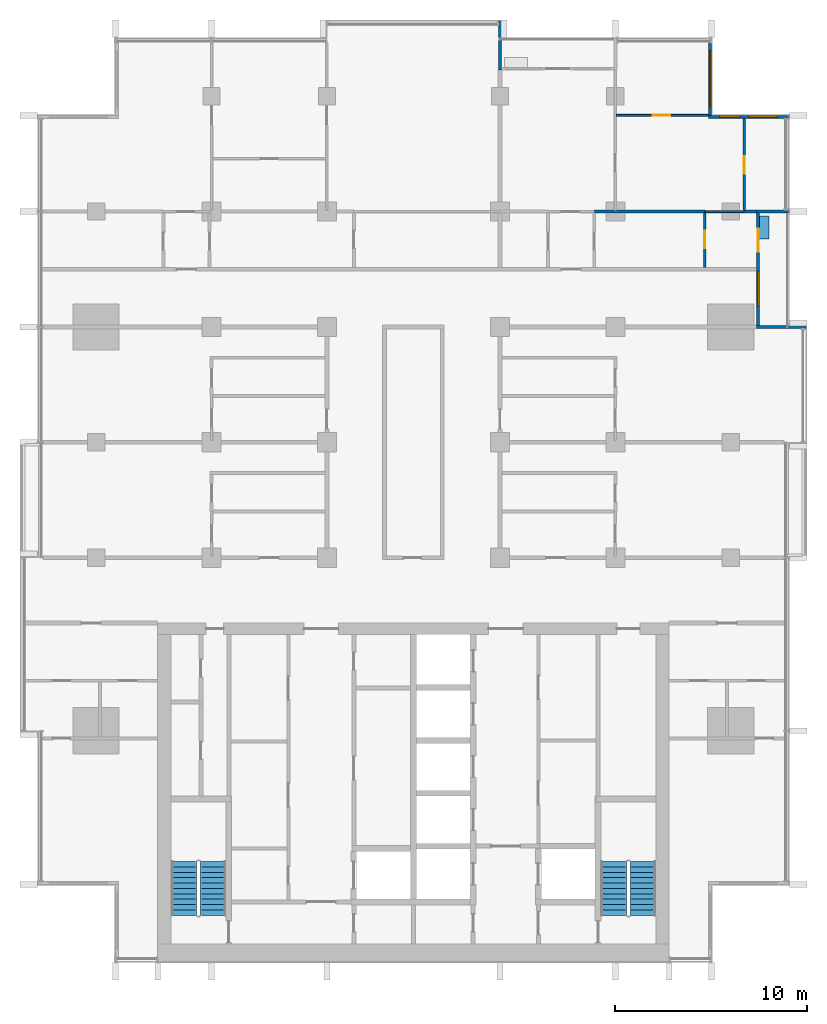
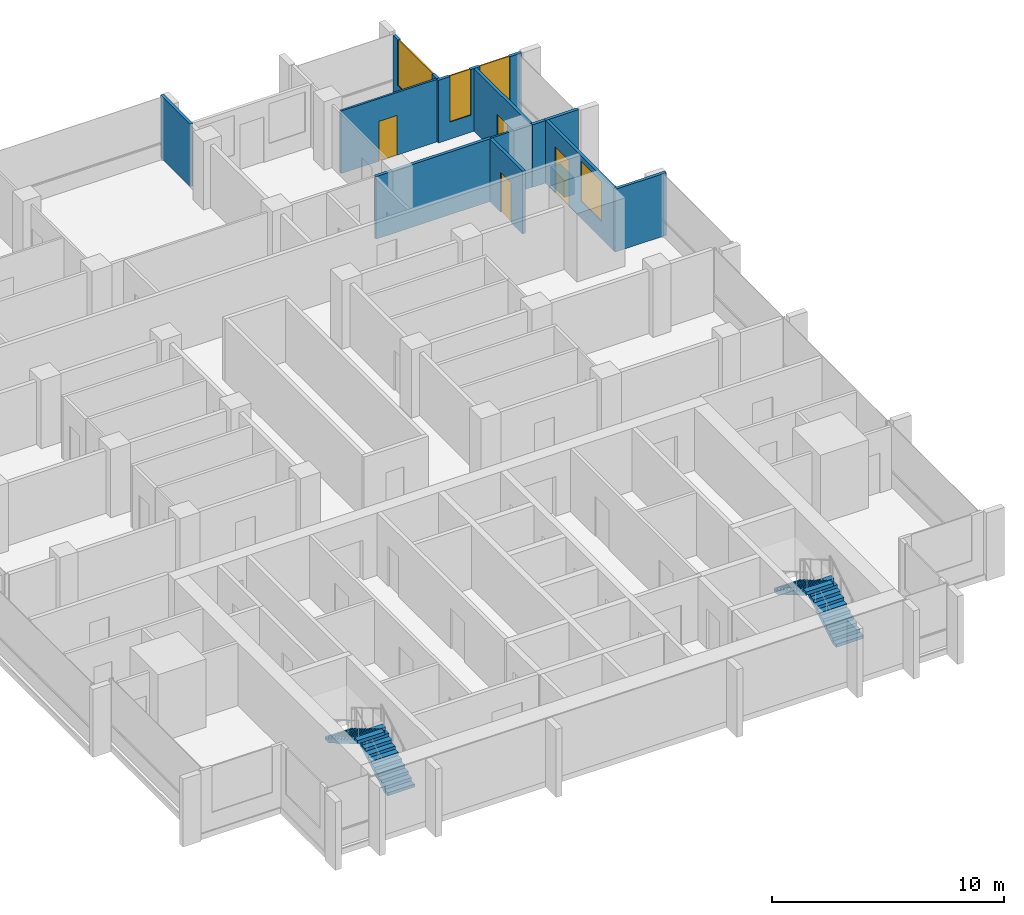
# One storey, part 11 of 16: 13 walls, 4 doors, 4 stair flights, 4 windows, 8 openings, 2 elements without a shape of their own.
"""IFC4 building model written with IfcOpenShell, lengths in metres."""

from ifc_helpers import new_model, si_unit, direction, frame, frame_2d, origin, place, context, subcontext, project, spatial, polyline, rectangle, outline, extrude, material, layer, layer_set, type_object, element, fill, aggregate, save


model = new_model("IFC4")

# Units and contexts
model_context = context("Model", 3, precision=1e-05, world=origin(), true_north=direction((0.0, 1.0)))
body_context = subcontext(model_context, "Body", "Model", "MODEL_VIEW")
ifc_project = project(units=[si_unit("LENGTHUNIT", "METRE"), si_unit("AREAUNIT", "SQUARE_METRE"), si_unit("VOLUMEUNIT", "CUBIC_METRE"), si_unit("PLANEANGLEUNIT", "RADIAN"), si_unit("MASSUNIT", "GRAM", prefix="KILO")], contexts=[model_context])

# Site, building, storey
site_placement = place(None, origin())
site = spatial("IfcSite", under=ifc_project, at=site_placement, CompositionType="ELEMENT")
building_placement = place(site_placement, origin())
building = spatial("IfcBuilding", under=site, at=building_placement, Name="Finial Court Residences", CompositionType="ELEMENT")
storey_placement = place(building_placement, frame((0.0, 0.0, 160.10009765625)))
storey = spatial("IfcBuildingStorey", under=building, at=storey_placement, Name="L39", CompositionType="ELEMENT", Elevation=160.10009765625)

# Wall
ifc_material_1 = material(Name="Gypsum board")
ifc_layer_1 = layer(ifc_material_1, 0.012451171875)
ifc_material_2 = material(Name="Mineral wool in light-gauge frame")
ifc_layer_2 = layer(ifc_material_2, 0.074951171875)
ifc_layer_3 = layer(ifc_material_1, 0.012451171875)
ifc_layer_set_1 = layer_set([ifc_layer_1, ifc_layer_2, ifc_layer_3], Name="Gypsum board partition 100")
wall_type_1 = type_object("IfcWallType", Name="Gypsum board partition 100", PredefinedType="PARTITIONING", material=ifc_layer_set_1)
wall_1_placement = place(storey_placement, frame((15.14990234375, 13.5, 0.0), z_axis=(0.0, 0.0, 1.0), x_axis=(1.0, 0.0, 0.0)))
element("IfcWall", 1, at=wall_1_placement, inside=storey, type_object=wall_type_1, Name="Partition L39-026", PredefinedType="PARTITIONING", context=body_context, shape_type="SweptSolid", body=[
    extrude(rectangle(XDim=2.050048828125, YDim=0.10009765625, at=frame_2d((1.02490234375, 0.0))), origin(), (0.0, 0.0, 1.0), 3.2998046875),
])

# Wall, opening, door
wall_2_placement = place(storey_placement, frame((10.550048828125, 18.5, 0.0), z_axis=(0.0, 0.0, 1.0), x_axis=(1.0, 0.0, 0.0)))
wall_2 = element("IfcWall", 2, at=wall_2_placement, inside=storey, type_object=wall_type_1, Name="Partition L39-033", PredefinedType="PARTITIONING", context=body_context, shape_type="SweptSolid", body=[
    extrude(rectangle(XDim=4.800048828125, YDim=0.10009765625, at=frame_2d((2.39990234375, 0.0))), origin(), (0.0, 0.0, 1.0), 3.2998046875),
])
opening_1_placement = place(wall_2_placement, frame((1.89990234375, 0.0, 0.0)))
opening_1 = element("IfcOpeningElement", 3, at=opening_1_placement, cuts=wall_2, Name="Opening L39-D017", PredefinedType="OPENING", context=body_context, shape_type="SweptSolid", body=[
    extrude(rectangle(XDim=0.89990234375, YDim=2.10009765625, at=frame_2d((0.449951171875, 1.050048828125))), frame((0.0, 0.06005859375, 0.0), z_axis=(0.0, -1.0, 0.0), x_axis=(1.0, 0.0, 0.0)), (0.0, 0.0, 1.0), 0.1201171875),
])
ifc_material_3 = material(Name="Timber door leaf in timber frame", Category="wood")
door_type_1 = type_object("IfcDoorType", Name="Door set 900 x 2100", OperationType="SINGLE_SWING_LEFT", PredefinedType="DOOR", material=ifc_material_3)
door_1_placement = place(opening_1_placement, origin())
door_1 = element("IfcDoor", 4, at=door_1_placement, inside=storey, type_object=door_type_1, Name="Door L39-D017", OperationType="SINGLE_SWING_LEFT", OverallHeight=2.10009765625, OverallWidth=0.89990234375, PredefinedType="DOOR", context=body_context, shape_type="SweptSolid", body=[
    extrude(rectangle(XDim=0.89990234375, YDim=2.10009765625, at=frame_2d((0.449951171875, 1.050048828125))), frame((0.0, 0.02490234375, 0.0), z_axis=(0.0, -1.0, 0.0), x_axis=(1.0, 0.0, 0.0)), (0.0, 0.0, 1.0), 0.050048828125),
])
fill(opening_1, door_1)

# Walls
ifc_material_4 = material(Name="Moisture-resistant gypsum board")
ifc_layer_4 = layer(ifc_material_4, 0.012451171875)
ifc_layer_5 = layer(ifc_material_2, 0.125)
ifc_layer_6 = layer(ifc_material_4, 0.012451171875)
ifc_layer_set_2 = layer_set([ifc_layer_4, ifc_layer_5, ifc_layer_6], Name="Gypsum board wet-area partition 150")
wall_type_2 = type_object("IfcWallType", Name="Gypsum board wet-area partition 150", PredefinedType="PARTITIONING", material=ifc_layer_set_2)
wall_3_placement = place(storey_placement, frame((9.39990234375, 13.5, 0.0), z_axis=(0.0, 0.0, 1.0), x_axis=(1.0, 0.0, 0.0)))
element("IfcWall", 5, at=wall_3_placement, inside=storey, type_object=wall_type_2, Name="Partition L39-030", PredefinedType="PARTITIONING", context=body_context, shape_type="SweptSolid", body=[
    extrude(rectangle(XDim=5.75, YDim=0.14990234375, at=frame_2d((2.875, 0.0))), origin(), (0.0, 0.0, 1.0), 3.2998046875),
])
wall_4_placement = place(storey_placement, frame((17.199951171875, 13.5, 0.0), z_axis=(0.0, 0.0, 1.0), x_axis=(1.0, 0.0, 0.0)))
element("IfcWall", 6, at=wall_4_placement, inside=storey, type_object=wall_type_2, Name="Partition L39-031", PredefinedType="PARTITIONING", context=body_context, shape_type="SweptSolid", body=[
    extrude(rectangle(XDim=0.650146484375, YDim=0.14990234375, at=frame_2d((0.3251953125, 0.0))), origin(), (0.0, 0.0, 1.0), 3.2998046875),
])

# Wall, opening, door
wall_5_placement = place(storey_placement, frame((15.14990234375, 10.60009765625, 0.0), z_axis=(0.0, 0.0, 1.0), x_axis=(0.0, 1.0, 0.0)))
wall_5 = element("IfcWall", 7, at=wall_5_placement, inside=storey, type_object=wall_type_2, Name="Partition L39-057", PredefinedType="PARTITIONING", context=body_context, shape_type="SweptSolid", body=[
    extrude(rectangle(XDim=2.824951171875, YDim=0.14990234375, at=frame_2d((1.41259765625, 0.0))), origin(), (0.0, 0.0, 1.0), 3.2998046875),
])
opening_2_placement = place(wall_5_placement, frame((1.0, 0.0, 0.0)))
opening_2 = element("IfcOpeningElement", 8, at=opening_2_placement, cuts=wall_5, Name="Opening L39-D036", PredefinedType="OPENING", context=body_context, shape_type="SweptSolid", body=[
    extrude(rectangle(XDim=0.89990234375, YDim=2.10009765625, at=frame_2d((0.449951171875, 1.050048828125))), frame((0.0, 0.0849609375, 0.0), z_axis=(0.0, -1.0, 0.0), x_axis=(1.0, 0.0, 0.0)), (0.0, 0.0, 1.0), 0.169921875),
])
door_2_placement = place(opening_2_placement, origin())
door_2 = element("IfcDoor", 9, at=door_2_placement, inside=storey, type_object=door_type_1, Name="Door L39-D036", OperationType="SINGLE_SWING_LEFT", OverallHeight=2.10009765625, OverallWidth=0.89990234375, PredefinedType="DOOR", context=body_context, shape_type="SweptSolid", body=[
    extrude(rectangle(XDim=0.89990234375, YDim=2.10009765625, at=frame_2d((0.449951171875, 1.050048828125))), frame((0.0, 0.02490234375, 0.0), z_axis=(0.0, -1.0, 0.0), x_axis=(1.0, 0.0, 0.0)), (0.0, 0.0, 1.0), 0.050048828125),
])
fill(opening_2, door_2)

wall_6_placement = place(storey_placement, frame((17.199951171875, 13.574951171875, 0.0), z_axis=(0.0, 0.0, 1.0), x_axis=(0.0, 1.0, 0.0)))
wall_6 = element("IfcWall", 10, at=wall_6_placement, inside=storey, type_object=wall_type_2, Name="Partition L39-059", PredefinedType="PARTITIONING", context=body_context, shape_type="SweptSolid", body=[
    extrude(rectangle(XDim=4.775146484375, YDim=0.14990234375, at=frame_2d((2.3876953125, 0.0))), origin(), (0.0, 0.0, 1.0), 3.2998046875),
])
opening_3_placement = place(wall_6_placement, frame((1.89990234375, 0.0, 0.0)))
opening_3 = element("IfcOpeningElement", 11, at=opening_3_placement, cuts=wall_6, Name="Opening L39-D037", PredefinedType="OPENING", context=body_context, shape_type="SweptSolid", body=[
    extrude(rectangle(XDim=0.89990234375, YDim=2.10009765625, at=frame_2d((0.449951171875, 1.050048828125))), frame((0.0, 0.0849609375, 0.0), z_axis=(0.0, -1.0, 0.0), x_axis=(1.0, 0.0, 0.0)), (0.0, 0.0, 1.0), 0.169921875),
])
door_3_placement = place(opening_3_placement, origin())
door_3 = element("IfcDoor", 12, at=door_3_placement, inside=storey, type_object=door_type_1, Name="Door L39-D037", OperationType="SINGLE_SWING_LEFT", OverallHeight=2.10009765625, OverallWidth=0.89990234375, PredefinedType="DOOR", context=body_context, shape_type="SweptSolid", body=[
    extrude(rectangle(XDim=0.89990234375, YDim=2.10009765625, at=frame_2d((0.449951171875, 1.050048828125))), frame((0.0, 0.02490234375, 0.0), z_axis=(0.0, -1.0, 0.0), x_axis=(1.0, 0.0, 0.0)), (0.0, 0.0, 1.0), 0.050048828125),
])
fill(opening_3, door_3)

# Wall, opening, window
ifc_material_5 = material(Name="Natural limestone", Category="masonry")
ifc_layer_7 = layer(ifc_material_5, 0.14990234375)
ifc_layer_set_3 = layer_set([ifc_layer_7], Name="Limestone clad wall 150")
wall_type_3 = type_object("IfcWallType", Name="Limestone clad wall 150", PredefinedType="SOLIDWALL", material=ifc_layer_set_3)
wall_7_placement = place(storey_placement, frame((15.425048828125, 22.262451171875, 0.0), z_axis=(0.0, 0.0, 1.0), x_axis=(0.0, -1.0, 0.0)))
wall_7 = element("IfcWall", 13, at=wall_7_placement, inside=storey, type_object=wall_type_3, Name="E-L39-NWE18", PredefinedType="SOLIDWALL", context=body_context, shape_type="SweptSolid", body=[
    extrude(rectangle(XDim=3.762451171875, YDim=0.14990234375, at=frame_2d((1.88134765625, 0.0))), origin(), (0.0, 0.0, 1.0), 3.2998046875),
])
opening_4_placement = place(wall_7_placement, frame((0.401123046875, 0.0, 0.89990234375)))
opening_4 = element("IfcOpeningElement", 14, at=opening_4_placement, cuts=wall_7, Name="Opening WE39-07", PredefinedType="OPENING", context=body_context, shape_type="SweptSolid", body=[
    extrude(rectangle(XDim=2.9599609375, YDim=2.39990234375, at=frame_2d((1.47998046875, 1.199951171875))), frame((0.0, 0.0849609375, 0.0), z_axis=(0.0, -1.0, 0.0), x_axis=(1.0, 0.0, 0.0)), (0.0, 0.0, 1.0), 0.169921875),
])
ifc_material_6 = material(Name="Clear low-e glass", Category="glass")
window_type_1 = type_object("IfcWindowType", Name="Corner window 2960 x 2400", PartitioningType="SINGLE_PANEL", PredefinedType="WINDOW", material=ifc_material_6)
window_1_placement = place(opening_4_placement, origin())
window_1 = element("IfcWindow", 15, at=window_1_placement, inside=storey, type_object=window_type_1, Name="E-L39-NWE18-W1", OverallHeight=2.39990234375, OverallWidth=2.9599609375, PartitioningType="SINGLE_PANEL", PredefinedType="WINDOW", context=body_context, shape_type="SweptSolid", body=[
    extrude(rectangle(XDim=2.9599609375, YDim=2.39990234375, at=frame_2d((1.47998046875, 1.199951171875))), frame((0.0, 0.030029296875, 0.0), z_axis=(0.0, -1.0, 0.0), x_axis=(1.0, 0.0, 0.0)), (0.0, 0.0, 1.0), 0.06005859375),
])
fill(opening_4, window_1)

# Wall, openings, windows
wall_8_placement = place(storey_placement, frame((15.35009765625, 18.425048828125, 0.0), z_axis=(0.0, 0.0, 1.0), x_axis=(1.0, 0.0, 0.0)))
wall_8 = element("IfcWall", 16, at=wall_8_placement, inside=storey, type_object=wall_type_3, Name="E-L39-NWN19", PredefinedType="SOLIDWALL", context=body_context, shape_type="SweptSolid", body=[
    extrude(rectangle(XDim=4.14990234375, YDim=0.14990234375, at=frame_2d((2.074951171875, 0.0))), origin(), (0.0, 0.0, 1.0), 3.2998046875),
])
opening_5_placement = place(wall_8_placement, frame((0.574951171875, 0.0, 0.89990234375)))
opening_5 = element("IfcOpeningElement", 17, at=opening_5_placement, cuts=wall_8, Name="Opening WE39-08", PredefinedType="OPENING", context=body_context, shape_type="SweptSolid", body=[
    extrude(rectangle(XDim=1.050048828125, YDim=2.39990234375, at=frame_2d((0.52490234375, 1.199951171875))), frame((0.0, 0.0849609375, 0.0), z_axis=(0.0, -1.0, 0.0), x_axis=(1.0, 0.0, 0.0)), (0.0, 0.0, 1.0), 0.169921875),
])
opening_6_placement = place(wall_8_placement, frame((2.074951171875, 0.0, 0.89990234375)))
opening_6 = element("IfcOpeningElement", 18, at=opening_6_placement, cuts=wall_8, Name="Opening WE39-09", PredefinedType="OPENING", context=body_context, shape_type="SweptSolid", body=[
    extrude(rectangle(XDim=1.5, YDim=2.39990234375, at=frame_2d((0.75, 1.199951171875))), frame((0.0, 0.0849609375, 0.0), z_axis=(0.0, -1.0, 0.0), x_axis=(1.0, 0.0, 0.0)), (0.0, 0.0, 1.0), 0.169921875),
])
window_type_2 = type_object("IfcWindowType", Name="Corner window 1050 x 2400", PartitioningType="SINGLE_PANEL", PredefinedType="WINDOW", material=ifc_material_6)
window_2_placement = place(opening_5_placement, origin())
window_2 = element("IfcWindow", 19, at=window_2_placement, inside=storey, type_object=window_type_2, Name="E-L39-NWN19-W1", OverallHeight=2.39990234375, OverallWidth=1.050048828125, PartitioningType="SINGLE_PANEL", PredefinedType="WINDOW", context=body_context, shape_type="SweptSolid", body=[
    extrude(rectangle(XDim=1.050048828125, YDim=2.39990234375, at=frame_2d((0.52490234375, 1.199951171875))), frame((0.0, 0.030029296875, 0.0), z_axis=(0.0, -1.0, 0.0), x_axis=(1.0, 0.0, 0.0)), (0.0, 0.0, 1.0), 0.06005859375),
])
fill(opening_5, window_2)
window_type_3 = type_object("IfcWindowType", Name="Corner window 1500 x 2400", PartitioningType="SINGLE_PANEL", PredefinedType="WINDOW", material=ifc_material_6)
window_3_placement = place(opening_6_placement, origin())
window_3 = element("IfcWindow", 20, at=window_3_placement, inside=storey, type_object=window_type_3, Name="E-L39-NWN19-W2", OverallHeight=2.39990234375, OverallWidth=1.5, PartitioningType="SINGLE_PANEL", PredefinedType="WINDOW", context=body_context, shape_type="SweptSolid", body=[
    extrude(rectangle(XDim=1.5, YDim=2.39990234375, at=frame_2d((0.75, 1.199951171875))), frame((0.0, 0.030029296875, 0.0), z_axis=(0.0, -1.0, 0.0), x_axis=(1.0, 0.0, 0.0)), (0.0, 0.0, 1.0), 0.06005859375),
])
fill(opening_6, window_3)

# Walls
for number, where, z_axis, x_axis, name in (
    (21, (4.5, 20.85009765625, 0.0), (0.0, 0.0, 1.0), (0.0, 1.0, 0.0), "E-L39-BALN4-P1"),
    (22, (17.85009765625, 7.5, 0.0), (0.0, 0.0, 1.0), (1.0, 0.0, 0.0), "E-L39-BALE5-P1"),
):
    element("IfcWall", number, at=place(storey_placement, frame(where, z_axis=z_axis, x_axis=x_axis)), inside=storey, type_object=wall_type_3, Name=name, PredefinedType="SOLIDWALL", context=body_context, shape_type="SweptSolid", body=[
        extrude(rectangle(XDim=2.5498046875, YDim=0.14990234375, at=frame_2d((1.27490234375, 0.0))), origin(), (0.0, 0.0, 1.0), 3.2998046875),
    ])
wall_9_placement = place(storey_placement, frame((17.85009765625, 13.5, 0.0), z_axis=(0.0, 0.0, 1.0), x_axis=(1.0, 0.0, 0.0)))
element("IfcWall", 23, at=wall_9_placement, inside=storey, type_object=wall_type_3, Name="E-L39-BALE5-P2", PredefinedType="SOLIDWALL", context=body_context, shape_type="SweptSolid", body=[
    extrude(rectangle(XDim=1.64990234375, YDim=0.14990234375, at=frame_2d((0.824951171875, 0.0))), origin(), (0.0, 0.0, 1.0), 3.2998046875),
])

# Wall, openings, door, window
wall_10_placement = place(storey_placement, frame((17.925048828125, 13.425048828125, 0.0), z_axis=(0.0, 0.0, 1.0), x_axis=(0.0, -1.0, 0.0)))
wall_10 = element("IfcWall", 24, at=wall_10_placement, inside=storey, type_object=wall_type_3, Name="E-L39-L39-BALE5-W", PredefinedType="SOLIDWALL", context=body_context, shape_type="SweptSolid", body=[
    extrude(rectangle(XDim=5.85009765625, YDim=0.14990234375, at=frame_2d((2.925048828125, 0.0))), origin(), (0.0, 0.0, 1.0), 3.2998046875),
])
opening_7_placement = place(wall_10_placement, frame((0.824951171875, 0.0, 0.0)))
opening_7 = element("IfcOpeningElement", 25, at=opening_7_placement, cuts=wall_10, Name="Opening DE39-02", PredefinedType="OPENING", context=body_context, shape_type="SweptSolid", body=[
    extrude(rectangle(XDim=1.199951171875, YDim=2.39990234375, at=frame_2d((0.60009765625, 1.199951171875))), frame((0.0, 0.0849609375, 0.0), z_axis=(0.0, -1.0, 0.0), x_axis=(1.0, 0.0, 0.0)), (0.0, 0.0, 1.0), 0.169921875),
])
opening_8_placement = place(wall_10_placement, frame((3.03759765625, 0.0, 0.89990234375)))
opening_8 = element("IfcOpeningElement", 26, at=opening_8_placement, cuts=wall_10, Name="Opening WE39-12", PredefinedType="OPENING", context=body_context, shape_type="SweptSolid", body=[
    extrude(rectangle(XDim=1.800048828125, YDim=2.10009765625, at=frame_2d((0.89990234375, 1.050048828125))), frame((0.0, 0.0849609375, 0.0), z_axis=(0.0, -1.0, 0.0), x_axis=(1.0, 0.0, 0.0)), (0.0, 0.0, 1.0), 0.169921875),
])
ifc_material_7 = material(Name="Bronze anodised aluminium", Category="aluminium")
door_type_2 = type_object("IfcDoorType", Name="Balcony door 1200 x 2400", OperationType="SINGLE_SWING_LEFT", PredefinedType="DOOR", material=ifc_material_7)
door_4_placement = place(opening_7_placement, origin())
door_4 = element("IfcDoor", 27, at=door_4_placement, inside=storey, type_object=door_type_2, Name="E-L39-L39-BALE5-W-D", OperationType="SINGLE_SWING_RIGHT", OverallHeight=2.39990234375, OverallWidth=1.199951171875, PredefinedType="DOOR", context=body_context, shape_type="SweptSolid", body=[
    extrude(rectangle(XDim=1.199951171875, YDim=2.39990234375, at=frame_2d((0.60009765625, 1.199951171875))), frame((0.0, 0.02490234375, 0.0), z_axis=(0.0, -1.0, 0.0), x_axis=(1.0, 0.0, 0.0)), (0.0, 0.0, 1.0), 0.050048828125),
])
fill(opening_7, door_4)
window_type_4 = type_object("IfcWindowType", Name="Balcony window 1800 x 2100", PartitioningType="SINGLE_PANEL", PredefinedType="WINDOW", material=ifc_material_6)
window_4_placement = place(opening_8_placement, origin())
window_4 = element("IfcWindow", 28, at=window_4_placement, inside=storey, type_object=window_type_4, Name="E-L39-L39-BALE5-W-W1", OverallHeight=2.10009765625, OverallWidth=1.800048828125, PartitioningType="SINGLE_PANEL", PredefinedType="WINDOW", context=body_context, shape_type="SweptSolid", body=[
    extrude(rectangle(XDim=1.800048828125, YDim=2.10009765625, at=frame_2d((0.89990234375, 1.050048828125))), frame((0.0, 0.030029296875, 0.0), z_axis=(0.0, -1.0, 0.0), x_axis=(1.0, 0.0, 0.0)), (0.0, 0.0, 1.0), 0.06005859375),
])
fill(opening_8, window_4)

# Wall
ifc_material_8 = material(Name="Concrete C40/50", Category="concrete")
ifc_layer_8 = layer(ifc_material_8, 0.10009765625)
ifc_material_9 = material(Name="Planting soil", Category="soil")
ifc_layer_9 = layer(ifc_material_9, 0.300048828125)
ifc_layer_10 = layer(ifc_material_8, 0.10009765625)
ifc_layer_set_4 = layer_set([ifc_layer_8, ifc_layer_9, ifc_layer_10], Name="Planter wall, balcony")
wall_type_4 = type_object("IfcWallType", Name="Planter wall, balcony", PredefinedType="USERDEFINED", material=ifc_layer_set_4)
wall_11_placement = place(storey_placement, frame((18.25, 12.074951171875, 0.0), z_axis=(0.0, 0.0, 1.0), x_axis=(0.0, 1.0, 0.0)))
element("IfcWall", 29, at=wall_11_placement, inside=storey, type_object=wall_type_4, Name="E-L39-BALE5-PL", ObjectType="PLANTER", PredefinedType="USERDEFINED", context=body_context, shape_type="SweptSolid", body=[
    extrude(rectangle(XDim=1.199951171875, YDim=0.5, at=frame_2d((0.60009765625, 0.0))), origin(), (0.0, 0.0, 1.0), 0.89990234375),
])

# Stair, stair flights
ifc_material_10 = material(Name="Concrete C50/60", Category="concrete")
stair_type = type_object("IfcStairType", Name="Exit stair 22 risers of 163.6 mm", PredefinedType="HALF_TURN_STAIR", material=ifc_material_10)
stair_1_placement = place(storey_placement, origin())
stair_1 = element("IfcStair", 30, at=stair_1_placement, inside=storey, type_object=stair_type, Name="L39 Exit stair ST-1", PredefinedType="HALF_TURN_STAIR")
stair_flight_type = type_object("IfcStairFlightType", Name="Exit stair flight", PredefinedType="STRAIGHT", material=ifc_material_10)
stair_flight_1_placement = place(storey_placement, frame((-10.425048828125, -23.10009765625, 0.0), z_axis=(0.0, 0.0, 1.0), x_axis=(0.0, 1.0, 0.0)))
stair_flight_1 = element("IfcStairFlight", 31, at=stair_flight_1_placement, type_object=stair_flight_type, Name="ST-1 flight 1", NumberOfRisers=11, NumberOfTreads=10, PredefinedType="STRAIGHT", RiserHeight=0.163636364, TreadLength=0.28, context=body_context, shape_type="SweptSolid", body=[
    extrude(outline(polyline([(0.0, 0.0), (0.0, 0.16357421875), (0.280029296875, 0.16357421875), (0.280029296875, 0.327392578125), (0.56005859375, 0.327392578125), (0.56005859375, 0.490966796875), (0.840087890625, 0.490966796875), (0.840087890625, 0.654541015625), (1.1201171875, 0.654541015625), (1.1201171875, 0.818115234375), (1.39990234375, 0.818115234375), (1.39990234375, 0.98193359375), (1.679931640625, 0.98193359375), (1.679931640625, 1.1455078125), (1.9599609375, 1.1455078125), (1.9599609375, 1.30908203125), (2.239990234375, 1.30908203125), (2.239990234375, 1.47265625), (2.52001953125, 1.47265625), (2.52001953125, 1.636474609375), (2.800048828125, 1.636474609375), (2.800048828125, 1.800048828125), (2.800048828125, 1.462646484375), (0.297119140625, 0.0), (0.0, 0.0)])), frame((0.0, 0.675048828125, 0.0), z_axis=(0.0, -1.0, 0.0), x_axis=(1.0, 0.0, 0.0)), (0.0, 0.0, 1.0), 1.35009765625),
])
stair_flight_2_placement = place(storey_placement, frame((-11.925048828125, -20.300048828125, 1.7998046875), z_axis=(0.0, 0.0, 1.0), x_axis=(0.0, -1.0, 0.0)))
stair_flight_2 = element("IfcStairFlight", 32, at=stair_flight_2_placement, type_object=stair_flight_type, Name="ST-1 flight 2", NumberOfRisers=11, NumberOfTreads=10, PredefinedType="STRAIGHT", RiserHeight=0.163636364, TreadLength=0.28, context=body_context, shape_type="SweptSolid", body=[
    extrude(outline(polyline([(0.0, 0.0), (0.0, 0.16357421875), (0.280029296875, 0.16357421875), (0.280029296875, 0.327392578125), (0.56005859375, 0.327392578125), (0.56005859375, 0.490966796875), (0.840087890625, 0.490966796875), (0.840087890625, 0.654541015625), (1.1201171875, 0.654541015625), (1.1201171875, 0.818115234375), (1.39990234375, 0.818115234375), (1.39990234375, 0.98193359375), (1.679931640625, 0.98193359375), (1.679931640625, 1.1455078125), (1.9599609375, 1.1455078125), (1.9599609375, 1.30908203125), (2.239990234375, 1.30908203125), (2.239990234375, 1.47265625), (2.52001953125, 1.47265625), (2.52001953125, 1.636474609375), (2.800048828125, 1.636474609375), (2.800048828125, 1.800048828125), (2.800048828125, 1.462646484375), (0.297119140625, 0.0), (0.0, 0.0)])), frame((0.0, 0.675048828125, 0.0), z_axis=(0.0, -1.0, 0.0), x_axis=(1.0, 0.0, 0.0)), (0.0, 0.0, 1.0), 1.35009765625),
])
aggregate(stair_1, [stair_flight_1, stair_flight_2])

stair_2_placement = place(storey_placement, origin())
stair_2 = element("IfcStair", 33, at=stair_2_placement, inside=storey, type_object=stair_type, Name="L39 Exit stair ST-2", PredefinedType="HALF_TURN_STAIR")
stair_flight_3_placement = place(storey_placement, frame((11.925048828125, -23.10009765625, 0.0), z_axis=(0.0, 0.0, 1.0), x_axis=(0.0, 1.0, 0.0)))
stair_flight_3 = element("IfcStairFlight", 34, at=stair_flight_3_placement, type_object=stair_flight_type, Name="ST-2 flight 1", NumberOfRisers=11, NumberOfTreads=10, PredefinedType="STRAIGHT", RiserHeight=0.163636364, TreadLength=0.28, context=body_context, shape_type="SweptSolid", body=[
    extrude(outline(polyline([(0.0, 0.0), (0.0, 0.16357421875), (0.280029296875, 0.16357421875), (0.280029296875, 0.327392578125), (0.56005859375, 0.327392578125), (0.56005859375, 0.490966796875), (0.840087890625, 0.490966796875), (0.840087890625, 0.654541015625), (1.1201171875, 0.654541015625), (1.1201171875, 0.818115234375), (1.39990234375, 0.818115234375), (1.39990234375, 0.98193359375), (1.679931640625, 0.98193359375), (1.679931640625, 1.1455078125), (1.9599609375, 1.1455078125), (1.9599609375, 1.30908203125), (2.239990234375, 1.30908203125), (2.239990234375, 1.47265625), (2.52001953125, 1.47265625), (2.52001953125, 1.636474609375), (2.800048828125, 1.636474609375), (2.800048828125, 1.800048828125), (2.800048828125, 1.462646484375), (0.297119140625, 0.0), (0.0, 0.0)])), frame((0.0, 0.675048828125, 0.0), z_axis=(0.0, -1.0, 0.0), x_axis=(1.0, 0.0, 0.0)), (0.0, 0.0, 1.0), 1.35009765625),
])
stair_flight_4_placement = place(storey_placement, frame((10.425048828125, -20.300048828125, 1.7998046875), z_axis=(0.0, 0.0, 1.0), x_axis=(0.0, -1.0, 0.0)))
stair_flight_4 = element("IfcStairFlight", 35, at=stair_flight_4_placement, type_object=stair_flight_type, Name="ST-2 flight 2", NumberOfRisers=11, NumberOfTreads=10, PredefinedType="STRAIGHT", RiserHeight=0.163636364, TreadLength=0.28, context=body_context, shape_type="SweptSolid", body=[
    extrude(outline(polyline([(0.0, 0.0), (0.0, 0.16357421875), (0.280029296875, 0.16357421875), (0.280029296875, 0.327392578125), (0.56005859375, 0.327392578125), (0.56005859375, 0.490966796875), (0.840087890625, 0.490966796875), (0.840087890625, 0.654541015625), (1.1201171875, 0.654541015625), (1.1201171875, 0.818115234375), (1.39990234375, 0.818115234375), (1.39990234375, 0.98193359375), (1.679931640625, 0.98193359375), (1.679931640625, 1.1455078125), (1.9599609375, 1.1455078125), (1.9599609375, 1.30908203125), (2.239990234375, 1.30908203125), (2.239990234375, 1.47265625), (2.52001953125, 1.47265625), (2.52001953125, 1.636474609375), (2.800048828125, 1.636474609375), (2.800048828125, 1.800048828125), (2.800048828125, 1.462646484375), (0.297119140625, 0.0), (0.0, 0.0)])), frame((0.0, 0.675048828125, 0.0), z_axis=(0.0, -1.0, 0.0), x_axis=(1.0, 0.0, 0.0)), (0.0, 0.0, 1.0), 1.35009765625),
])
aggregate(stair_2, [stair_flight_3, stair_flight_4])

save(model, "model.ifc")
